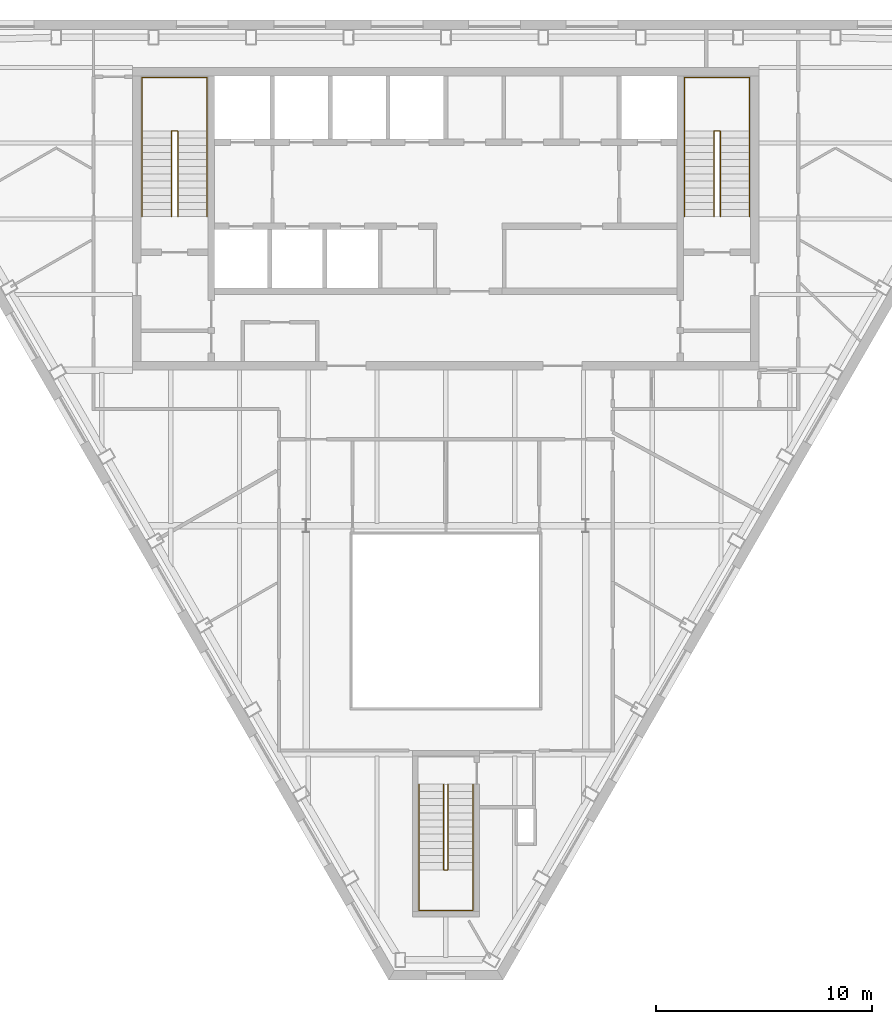
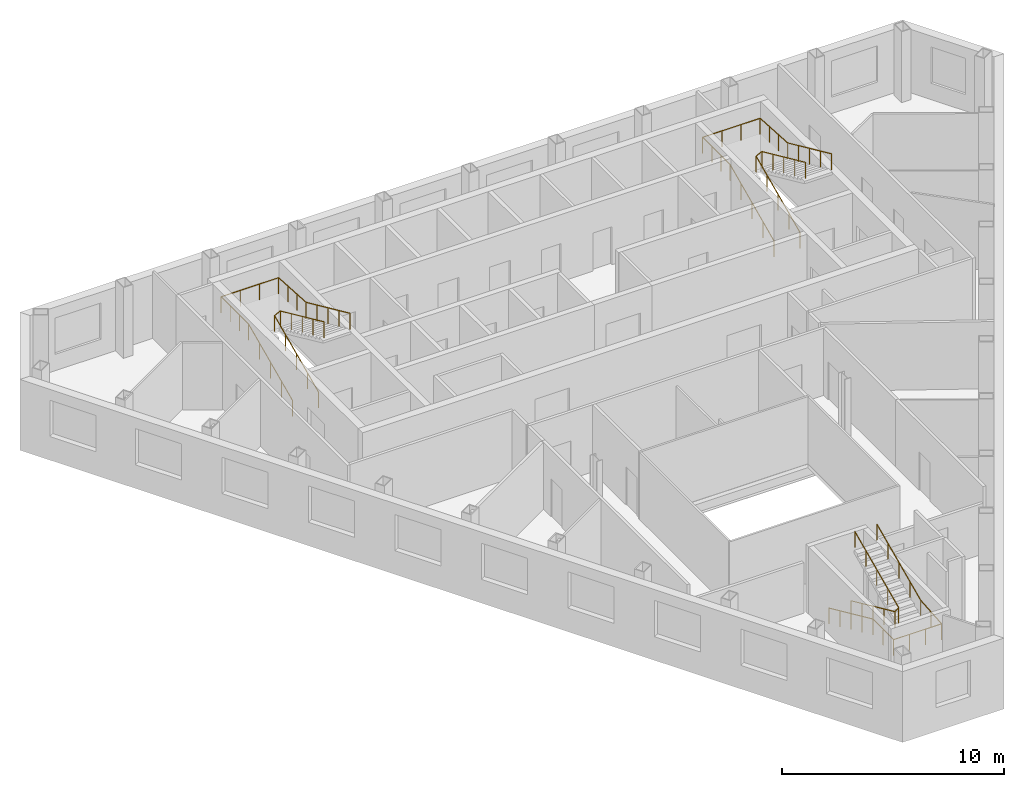
# One storey, part 10 of 10: 6 railings.
"""IFC4 building model written with IfcOpenShell, lengths in metres."""

from ifc_helpers import new_model, si_unit, direction, frame, origin, origin_2d, place, context, subcontext, project, spatial, circle, extrude, material, type_object, element, save


model = new_model("IFC4")

# Units and contexts
model_context = context("Model", 3, precision=1e-05, world=origin(), true_north=direction((0.0, 1.0)))
body_context = subcontext(model_context, "Body", "Model", "MODEL_VIEW")
ifc_project = project(units=[si_unit("LENGTHUNIT", "METRE"), si_unit("AREAUNIT", "SQUARE_METRE"), si_unit("VOLUMEUNIT", "CUBIC_METRE"), si_unit("PLANEANGLEUNIT", "RADIAN"), si_unit("MASSUNIT", "GRAM", prefix="KILO")], contexts=[model_context])

# Site, building, storey
site_placement = place(None, origin())
site = spatial("IfcSite", under=ifc_project, at=site_placement, CompositionType="ELEMENT")
building_placement = place(site_placement, origin())
building = spatial("IfcBuilding", under=site, at=building_placement, Name="Njiva Tower", CompositionType="ELEMENT")
storey_placement = place(building_placement, frame((0.0, 0.0, 284.4)))
storey = spatial("IfcBuildingStorey", under=building, at=storey_placement, Name="L65", CompositionType="ELEMENT", Elevation=284.4)

# Railings
ifc_material = material(Name="Stainless steel", Category="steel")
railing_type = type_object("IfcRailingType", Name="RL1 Stair handrail 900", PredefinedType="HANDRAIL", material=ifc_material)
railing_1_placement = place(storey_placement, frame((-14.05, 11.1, 0.15)))
element("IfcRailing", 1, at=railing_1_placement, inside=storey, type_object=railing_type, Name="Stair A handrail", PredefinedType="HANDRAIL", context=body_context, shape_type="SweptSolid", body=[
    extrude(circle(Radius=0.024, at=origin_2d()), frame((0.0, 0.0, 0.876), z_axis=(0.0, 0.910366477463, 0.413802944301), x_axis=(-1.0, 0.0, 0.0)), (0.0, 0.0, 1.0), 4.3499),
    extrude(circle(Radius=0.024, at=origin_2d()), frame((0.0, 3.96, 2.676), z_axis=(0.0, 1.0, 0.0), x_axis=(-1.0, 0.0, 0.0)), (0.0, 0.0, 1.0), 2.49),
    extrude(circle(Radius=0.024, at=origin_2d()), frame((0.0, 6.45, 2.676), z_axis=(1.0, 0.0, 0.0), x_axis=(0.0, 1.0, 0.0)), (0.0, 0.0, 1.0), 3.0),
    extrude(circle(Radius=0.024, at=origin_2d()), frame((3.0, 6.45, 2.676), z_axis=(0.0, -0.998190436793, 0.060131954024), x_axis=(1.0, 0.0, 0.0)), (0.0, 0.0, 1.0), 2.4945),
    extrude(circle(Radius=0.024, at=origin_2d()), frame((3.0, 3.96, 2.826), z_axis=(0.0, -0.910366477463, 0.413802944301), x_axis=(1.0, 0.0, 0.0)), (0.0, 0.0, 1.0), 4.3499),
    extrude(circle(Radius=0.021, at=origin_2d()), origin(), (0.0, 0.0, 1.0), 0.852),
    extrude(circle(Radius=0.021, at=origin_2d()), frame((0.0, 0.99, 0.45)), (0.0, 0.0, 1.0), 0.852),
    extrude(circle(Radius=0.021, at=origin_2d()), frame((0.0, 1.98, 0.9)), (0.0, 0.0, 1.0), 0.852),
    extrude(circle(Radius=0.021, at=origin_2d()), frame((0.0, 2.97, 1.35)), (0.0, 0.0, 1.0), 0.852),
    extrude(circle(Radius=0.021, at=origin_2d()), frame((0.0, 3.96, 1.8)), (0.0, 0.0, 1.0), 0.852),
    extrude(circle(Radius=0.021, at=origin_2d()), frame((0.0, 4.79, 1.8)), (0.0, 0.0, 1.0), 0.852),
    extrude(circle(Radius=0.021, at=origin_2d()), frame((0.0, 5.62, 1.8)), (0.0, 0.0, 1.0), 0.852),
    extrude(circle(Radius=0.021, at=origin_2d()), frame((0.0, 6.45, 1.8)), (0.0, 0.0, 1.0), 0.852),
    extrude(circle(Radius=0.021, at=origin_2d()), frame((1.0, 6.45, 1.8)), (0.0, 0.0, 1.0), 0.852),
    extrude(circle(Radius=0.021, at=origin_2d()), frame((2.0, 6.45, 1.8)), (0.0, 0.0, 1.0), 0.852),
    extrude(circle(Radius=0.021, at=origin_2d()), frame((3.0, 6.45, 1.8)), (0.0, 0.0, 1.0), 0.852),
    extrude(circle(Radius=0.021, at=origin_2d()), frame((3.0, 5.62, 1.85)), (0.0, 0.0, 1.0), 0.852),
    extrude(circle(Radius=0.021, at=origin_2d()), frame((3.0, 4.79, 1.9)), (0.0, 0.0, 1.0), 0.852),
    extrude(circle(Radius=0.021, at=origin_2d()), frame((3.0, 3.96, 1.95)), (0.0, 0.0, 1.0), 0.852),
    extrude(circle(Radius=0.021, at=origin_2d()), frame((3.0, 2.97, 2.4)), (0.0, 0.0, 1.0), 0.852),
    extrude(circle(Radius=0.021, at=origin_2d()), frame((3.0, 1.98, 2.85)), (0.0, 0.0, 1.0), 0.852),
    extrude(circle(Radius=0.021, at=origin_2d()), frame((3.0, 0.99, 3.3)), (0.0, 0.0, 1.0), 0.852),
    extrude(circle(Radius=0.021, at=origin_2d()), frame((3.0, 0.0, 3.75)), (0.0, 0.0, 1.0), 0.852),
])
railing_2_placement = place(storey_placement, frame((-12.7, 11.1, 0.15)))
element("IfcRailing", 2, at=railing_2_placement, inside=storey, type_object=railing_type, Name="Stair A handrail", PredefinedType="HANDRAIL", context=body_context, shape_type="SweptSolid", body=[
    extrude(circle(Radius=0.024, at=origin_2d()), frame((0.0, 0.0, 0.876), z_axis=(0.0, 0.910366477463, 0.413802944301), x_axis=(-1.0, 0.0, 0.0)), (0.0, 0.0, 1.0), 4.3499),
    extrude(circle(Radius=0.024, at=origin_2d()), frame((0.0, 3.96, 2.676), z_axis=(0.894427191, 0.0, 0.4472135955), x_axis=(0.0, 1.0, 0.0)), (0.0, 0.0, 1.0), 0.3354),
    extrude(circle(Radius=0.024, at=origin_2d()), frame((0.3, 3.96, 2.826), z_axis=(0.0, -0.910366477463, 0.413802944301), x_axis=(1.0, 0.0, 0.0)), (0.0, 0.0, 1.0), 4.3499),
    extrude(circle(Radius=0.021, at=origin_2d()), origin(), (0.0, 0.0, 1.0), 0.852),
    extrude(circle(Radius=0.021, at=origin_2d()), frame((0.0, 0.99, 0.45)), (0.0, 0.0, 1.0), 0.852),
    extrude(circle(Radius=0.021, at=origin_2d()), frame((0.0, 1.98, 0.9)), (0.0, 0.0, 1.0), 0.852),
    extrude(circle(Radius=0.021, at=origin_2d()), frame((0.0, 2.97, 1.35)), (0.0, 0.0, 1.0), 0.852),
    extrude(circle(Radius=0.021, at=origin_2d()), frame((0.0, 3.96, 1.8)), (0.0, 0.0, 1.0), 0.852),
    extrude(circle(Radius=0.021, at=origin_2d()), frame((0.3, 3.96, 1.95)), (0.0, 0.0, 1.0), 0.852),
    extrude(circle(Radius=0.021, at=origin_2d()), frame((0.3, 2.97, 2.4)), (0.0, 0.0, 1.0), 0.852),
    extrude(circle(Radius=0.021, at=origin_2d()), frame((0.3, 1.98, 2.85)), (0.0, 0.0, 1.0), 0.852),
    extrude(circle(Radius=0.021, at=origin_2d()), frame((0.3, 0.99, 3.3)), (0.0, 0.0, 1.0), 0.852),
    extrude(circle(Radius=0.021, at=origin_2d()), frame((0.3, 0.0, 3.75)), (0.0, 0.0, 1.0), 0.852),
])
railing_3_placement = place(storey_placement, frame((11.05, 11.1, 0.15)))
element("IfcRailing", 3, at=railing_3_placement, inside=storey, type_object=railing_type, Name="Stair B handrail", PredefinedType="HANDRAIL", context=body_context, shape_type="SweptSolid", body=[
    extrude(circle(Radius=0.024, at=origin_2d()), frame((0.0, 0.0, 0.876), z_axis=(0.0, 0.910366477463, 0.413802944301), x_axis=(-1.0, 0.0, 0.0)), (0.0, 0.0, 1.0), 4.3499),
    extrude(circle(Radius=0.024, at=origin_2d()), frame((0.0, 3.96, 2.676), z_axis=(0.0, 1.0, 0.0), x_axis=(-1.0, 0.0, 0.0)), (0.0, 0.0, 1.0), 2.49),
    extrude(circle(Radius=0.024, at=origin_2d()), frame((0.0, 6.45, 2.676), z_axis=(1.0, 0.0, 0.0), x_axis=(0.0, 1.0, 0.0)), (0.0, 0.0, 1.0), 3.0),
    extrude(circle(Radius=0.024, at=origin_2d()), frame((3.0, 6.45, 2.676), z_axis=(0.0, -0.998190436793, 0.060131954024), x_axis=(1.0, 0.0, 0.0)), (0.0, 0.0, 1.0), 2.4945),
    extrude(circle(Radius=0.024, at=origin_2d()), frame((3.0, 3.96, 2.826), z_axis=(0.0, -0.910366477463, 0.413802944301), x_axis=(1.0, 0.0, 0.0)), (0.0, 0.0, 1.0), 4.3499),
    extrude(circle(Radius=0.021, at=origin_2d()), origin(), (0.0, 0.0, 1.0), 0.852),
    extrude(circle(Radius=0.021, at=origin_2d()), frame((0.0, 0.99, 0.45)), (0.0, 0.0, 1.0), 0.852),
    extrude(circle(Radius=0.021, at=origin_2d()), frame((0.0, 1.98, 0.9)), (0.0, 0.0, 1.0), 0.852),
    extrude(circle(Radius=0.021, at=origin_2d()), frame((0.0, 2.97, 1.35)), (0.0, 0.0, 1.0), 0.852),
    extrude(circle(Radius=0.021, at=origin_2d()), frame((0.0, 3.96, 1.8)), (0.0, 0.0, 1.0), 0.852),
    extrude(circle(Radius=0.021, at=origin_2d()), frame((0.0, 4.79, 1.8)), (0.0, 0.0, 1.0), 0.852),
    extrude(circle(Radius=0.021, at=origin_2d()), frame((0.0, 5.62, 1.8)), (0.0, 0.0, 1.0), 0.852),
    extrude(circle(Radius=0.021, at=origin_2d()), frame((0.0, 6.45, 1.8)), (0.0, 0.0, 1.0), 0.852),
    extrude(circle(Radius=0.021, at=origin_2d()), frame((1.0, 6.45, 1.8)), (0.0, 0.0, 1.0), 0.852),
    extrude(circle(Radius=0.021, at=origin_2d()), frame((2.0, 6.45, 1.8)), (0.0, 0.0, 1.0), 0.852),
    extrude(circle(Radius=0.021, at=origin_2d()), frame((3.0, 6.45, 1.8)), (0.0, 0.0, 1.0), 0.852),
    extrude(circle(Radius=0.021, at=origin_2d()), frame((3.0, 5.62, 1.85)), (0.0, 0.0, 1.0), 0.852),
    extrude(circle(Radius=0.021, at=origin_2d()), frame((3.0, 4.79, 1.9)), (0.0, 0.0, 1.0), 0.852),
    extrude(circle(Radius=0.021, at=origin_2d()), frame((3.0, 3.96, 1.95)), (0.0, 0.0, 1.0), 0.852),
    extrude(circle(Radius=0.021, at=origin_2d()), frame((3.0, 2.97, 2.4)), (0.0, 0.0, 1.0), 0.852),
    extrude(circle(Radius=0.021, at=origin_2d()), frame((3.0, 1.98, 2.85)), (0.0, 0.0, 1.0), 0.852),
    extrude(circle(Radius=0.021, at=origin_2d()), frame((3.0, 0.99, 3.3)), (0.0, 0.0, 1.0), 0.852),
    extrude(circle(Radius=0.021, at=origin_2d()), frame((3.0, 0.0, 3.75)), (0.0, 0.0, 1.0), 0.852),
])
railing_4_placement = place(storey_placement, frame((12.4, 11.1, 0.15)))
element("IfcRailing", 4, at=railing_4_placement, inside=storey, type_object=railing_type, Name="Stair B handrail", PredefinedType="HANDRAIL", context=body_context, shape_type="SweptSolid", body=[
    extrude(circle(Radius=0.024, at=origin_2d()), frame((0.0, 0.0, 0.876), z_axis=(0.0, 0.910366477463, 0.413802944301), x_axis=(-1.0, 0.0, 0.0)), (0.0, 0.0, 1.0), 4.3499),
    extrude(circle(Radius=0.024, at=origin_2d()), frame((0.0, 3.96, 2.676), z_axis=(0.894427191, 0.0, 0.4472135955), x_axis=(0.0, 1.0, 0.0)), (0.0, 0.0, 1.0), 0.3354),
    extrude(circle(Radius=0.024, at=origin_2d()), frame((0.3, 3.96, 2.826), z_axis=(0.0, -0.910366477463, 0.413802944301), x_axis=(1.0, 0.0, 0.0)), (0.0, 0.0, 1.0), 4.3499),
    extrude(circle(Radius=0.021, at=origin_2d()), origin(), (0.0, 0.0, 1.0), 0.852),
    extrude(circle(Radius=0.021, at=origin_2d()), frame((0.0, 0.99, 0.45)), (0.0, 0.0, 1.0), 0.852),
    extrude(circle(Radius=0.021, at=origin_2d()), frame((0.0, 1.98, 0.9)), (0.0, 0.0, 1.0), 0.852),
    extrude(circle(Radius=0.021, at=origin_2d()), frame((0.0, 2.97, 1.35)), (0.0, 0.0, 1.0), 0.852),
    extrude(circle(Radius=0.021, at=origin_2d()), frame((0.0, 3.96, 1.8)), (0.0, 0.0, 1.0), 0.852),
    extrude(circle(Radius=0.021, at=origin_2d()), frame((0.3, 3.96, 1.95)), (0.0, 0.0, 1.0), 0.852),
    extrude(circle(Radius=0.021, at=origin_2d()), frame((0.3, 2.97, 2.4)), (0.0, 0.0, 1.0), 0.852),
    extrude(circle(Radius=0.021, at=origin_2d()), frame((0.3, 1.98, 2.85)), (0.0, 0.0, 1.0), 0.852),
    extrude(circle(Radius=0.021, at=origin_2d()), frame((0.3, 0.99, 3.3)), (0.0, 0.0, 1.0), 0.852),
    extrude(circle(Radius=0.021, at=origin_2d()), frame((0.3, 0.0, 3.75)), (0.0, 0.0, 1.0), 0.852),
])
railing_5_placement = place(storey_placement, frame((-1.25, -15.16, 0.15)))
element("IfcRailing", 5, at=railing_5_placement, inside=storey, type_object=railing_type, Name="Stair C handrail", PredefinedType="HANDRAIL", context=body_context, shape_type="SweptSolid", body=[
    extrude(circle(Radius=0.024, at=origin_2d()), frame((0.0, 0.0, 0.876), z_axis=(0.0, -0.910366477463, 0.413802944301), x_axis=(1.0, 0.0, 0.0)), (0.0, 0.0, 1.0), 4.3499),
    extrude(circle(Radius=0.024, at=origin_2d()), frame((0.0, -3.96, 2.676), z_axis=(0.0, -1.0, 0.0), x_axis=(1.0, 0.0, 0.0)), (0.0, 0.0, 1.0), 1.88),
    extrude(circle(Radius=0.024, at=origin_2d()), frame((0.0, -5.84, 2.676), z_axis=(1.0, 0.0, 0.0), x_axis=(0.0, 1.0, 0.0)), (0.0, 0.0, 1.0), 2.5),
    extrude(circle(Radius=0.024, at=origin_2d()), frame((2.5, -5.84, 2.676), z_axis=(0.0, 0.996832115713, 0.079534477318), x_axis=(-1.0, 0.0, 0.0)), (0.0, 0.0, 1.0), 1.886),
    extrude(circle(Radius=0.024, at=origin_2d()), frame((2.5, -3.96, 2.826), z_axis=(0.0, 0.910366477463, 0.413802944301), x_axis=(-1.0, 0.0, 0.0)), (0.0, 0.0, 1.0), 4.3499),
    extrude(circle(Radius=0.021, at=origin_2d()), origin(), (0.0, 0.0, 1.0), 0.852),
    extrude(circle(Radius=0.021, at=origin_2d()), frame((0.0, -0.99, 0.45)), (0.0, 0.0, 1.0), 0.852),
    extrude(circle(Radius=0.021, at=origin_2d()), frame((0.0, -1.98, 0.9)), (0.0, 0.0, 1.0), 0.852),
    extrude(circle(Radius=0.021, at=origin_2d()), frame((0.0, -2.97, 1.35)), (0.0, 0.0, 1.0), 0.852),
    extrude(circle(Radius=0.021, at=origin_2d()), frame((0.0, -3.96, 1.8)), (0.0, 0.0, 1.0), 0.852),
    extrude(circle(Radius=0.021, at=origin_2d()), frame((0.0, -4.9, 1.8)), (0.0, 0.0, 1.0), 0.852),
    extrude(circle(Radius=0.021, at=origin_2d()), frame((0.0, -5.84, 1.8)), (0.0, 0.0, 1.0), 0.852),
    extrude(circle(Radius=0.021, at=origin_2d()), frame((0.8333, -5.84, 1.8)), (0.0, 0.0, 1.0), 0.852),
    extrude(circle(Radius=0.021, at=origin_2d()), frame((1.6667, -5.84, 1.8)), (0.0, 0.0, 1.0), 0.852),
    extrude(circle(Radius=0.021, at=origin_2d()), frame((2.5, -5.84, 1.8)), (0.0, 0.0, 1.0), 0.852),
    extrude(circle(Radius=0.021, at=origin_2d()), frame((2.5, -4.9, 1.875)), (0.0, 0.0, 1.0), 0.852),
    extrude(circle(Radius=0.021, at=origin_2d()), frame((2.5, -3.96, 1.95)), (0.0, 0.0, 1.0), 0.852),
    extrude(circle(Radius=0.021, at=origin_2d()), frame((2.5, -2.97, 2.4)), (0.0, 0.0, 1.0), 0.852),
    extrude(circle(Radius=0.021, at=origin_2d()), frame((2.5, -1.98, 2.85)), (0.0, 0.0, 1.0), 0.852),
    extrude(circle(Radius=0.021, at=origin_2d()), frame((2.5, -0.99, 3.3)), (0.0, 0.0, 1.0), 0.852),
    extrude(circle(Radius=0.021, at=origin_2d()), frame((2.5, 0.0, 3.75)), (0.0, 0.0, 1.0), 0.852),
])
railing_6_placement = place(storey_placement, frame((-0.1, -15.16, 0.15)))
element("IfcRailing", 6, at=railing_6_placement, inside=storey, type_object=railing_type, Name="Stair C handrail", PredefinedType="HANDRAIL", context=body_context, shape_type="SweptSolid", body=[
    extrude(circle(Radius=0.024, at=origin_2d()), frame((0.0, 0.0, 0.876), z_axis=(0.0, -0.910366477463, 0.413802944301), x_axis=(1.0, 0.0, 0.0)), (0.0, 0.0, 1.0), 4.3499),
    extrude(circle(Radius=0.024, at=origin_2d()), frame((0.0, -3.96, 2.676), z_axis=(0.8, 0.0, 0.6), x_axis=(0.0, 1.0, 0.0)), (0.0, 0.0, 1.0), 0.25),
    extrude(circle(Radius=0.024, at=origin_2d()), frame((0.2, -3.96, 2.826), z_axis=(0.0, 0.910366477463, 0.413802944301), x_axis=(-1.0, 0.0, 0.0)), (0.0, 0.0, 1.0), 4.3499),
    extrude(circle(Radius=0.021, at=origin_2d()), origin(), (0.0, 0.0, 1.0), 0.852),
    extrude(circle(Radius=0.021, at=origin_2d()), frame((0.0, -0.99, 0.45)), (0.0, 0.0, 1.0), 0.852),
    extrude(circle(Radius=0.021, at=origin_2d()), frame((0.0, -1.98, 0.9)), (0.0, 0.0, 1.0), 0.852),
    extrude(circle(Radius=0.021, at=origin_2d()), frame((0.0, -2.97, 1.35)), (0.0, 0.0, 1.0), 0.852),
    extrude(circle(Radius=0.021, at=origin_2d()), frame((0.0, -3.96, 1.8)), (0.0, 0.0, 1.0), 0.852),
    extrude(circle(Radius=0.021, at=origin_2d()), frame((0.2, -3.96, 1.95)), (0.0, 0.0, 1.0), 0.852),
    extrude(circle(Radius=0.021, at=origin_2d()), frame((0.2, -2.97, 2.4)), (0.0, 0.0, 1.0), 0.852),
    extrude(circle(Radius=0.021, at=origin_2d()), frame((0.2, -1.98, 2.85)), (0.0, 0.0, 1.0), 0.852),
    extrude(circle(Radius=0.021, at=origin_2d()), frame((0.2, -0.99, 3.3)), (0.0, 0.0, 1.0), 0.852),
    extrude(circle(Radius=0.021, at=origin_2d()), frame((0.2, 0.0, 3.75)), (0.0, 0.0, 1.0), 0.852),
])

save(model, "model.ifc")
